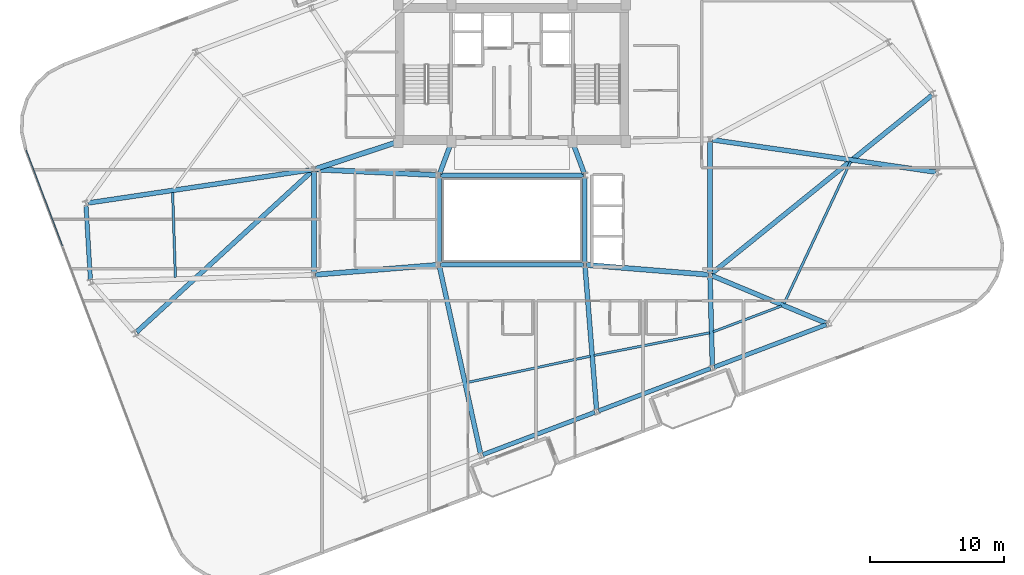
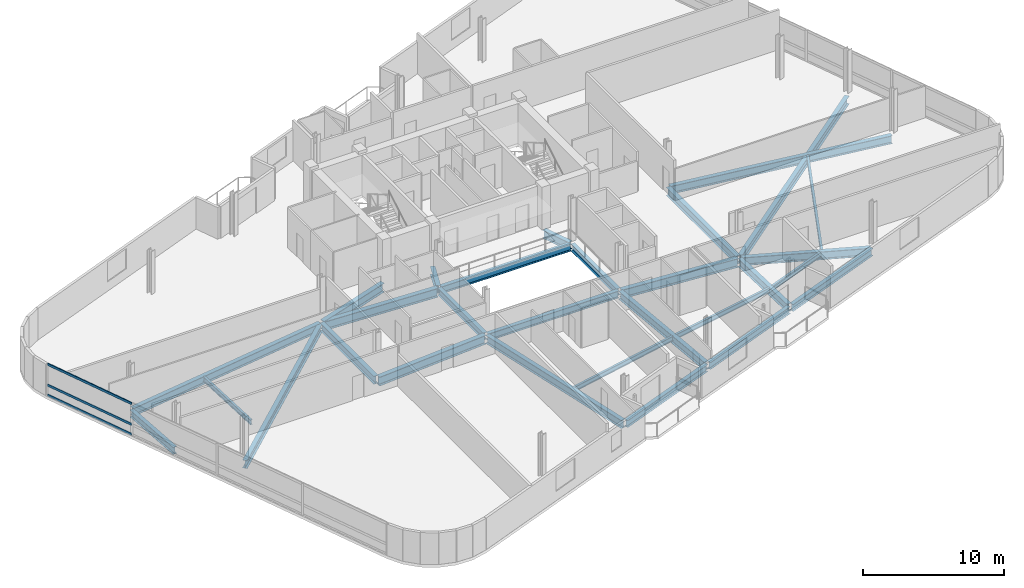
# One storey, part 7 of 20: 29 beams, 3 members, 1 element without a shape of its own.
"""IFC4 building model written with IfcOpenShell, lengths in metres."""

from ifc_helpers import new_model, si_unit, direction, frame, origin, origin_2d, place, context, subcontext, project, spatial, hollow_rectangle, i_section, extrude, material, layer, layer_set, material_profile, profile_set, type_object, element, aggregate, save


model = new_model("IFC4")

# Units and contexts
model_context = context("Model", 3, precision=1e-05, world=origin(), true_north=direction((0.0, 1.0)))
body_context = subcontext(model_context, "Body", "Model", "MODEL_VIEW")
ifc_project = project(units=[si_unit("LENGTHUNIT", "METRE"), si_unit("AREAUNIT", "SQUARE_METRE"), si_unit("VOLUMEUNIT", "CUBIC_METRE"), si_unit("PLANEANGLEUNIT", "RADIAN"), si_unit("MASSUNIT", "GRAM", prefix="KILO")], contexts=[model_context])

# Site, building, storey
site_placement = place(None, origin())
site = spatial("IfcSite", under=ifc_project, at=site_placement, CompositionType="ELEMENT")
building_placement = place(site_placement, origin())
building = spatial("IfcBuilding", under=site, at=building_placement, Name="Varnelok Gate Tower", CompositionType="ELEMENT")
storey_placement = place(building_placement, frame((0.0, 0.0, 238.60009765625)))
storey = spatial("IfcBuildingStorey", under=building, at=storey_placement, Name="L61", CompositionType="ELEMENT", Elevation=238.60009765625)

# Beams
ifc_material_1 = material(Name="Structural Steel ASTM A992 Grade 50", Category="steel")
ifc_material_profile_1 = material_profile(ifc_material_1, i_section(OverallWidth=0.180908203125, OverallDepth=0.4169921875, WebThickness=0.010986328125, FlangeThickness=0.018310546875, FilletRadius=0.013916015625, at=origin_2d()), Name="W16X57")
ifc_profile_set_1 = profile_set([ifc_material_profile_1], Name="Structural Steel ASTM A992 Grade 50")
beam_type_1 = type_object("IfcBeamType", Name="BM-JST-W16X57", PredefinedType="JOIST", material=ifc_profile_set_1)
beam_1_placement = place(storey_placement, frame((35.827392578125, 10.74609375, -0.45849609375), z_axis=(0.97793355235, 0.208916172636, 0.0), x_axis=(-0.208916172636, 0.97793355235, 0.0)))
element("IfcBeam", 1, at=beam_1_placement, inside=storey, type_object=beam_type_1, Name="L61 Sector Floor Joist 2", PredefinedType="JOIST", context=body_context, shape_type="SweptSolid", body=[
    extrude(i_section(OverallWidth=0.180908203125, OverallDepth=0.4169921875, WebThickness=0.010986328125, FlangeThickness=0.018310546875, FilletRadius=0.013916015625, at=origin_2d()), origin(), (0.0, 0.0, 1.0), 9.43994140625),
])
beam_2_placement = place(storey_placement, frame((45.33349609375, 12.7744140625, -0.45849609375), z_axis=(0.981373341714, 0.192110291692, 0.0), x_axis=(-0.192110291692, 0.981373341714, 0.0)))
element("IfcBeam", 2, at=beam_2_placement, inside=storey, type_object=beam_type_1, Name="L61 Sector Floor Joist 3", PredefinedType="JOIST", context=body_context, shape_type="SweptSolid", body=[
    extrude(i_section(OverallWidth=0.180908203125, OverallDepth=0.4169921875, WebThickness=0.010986328125, FlangeThickness=0.018310546875, FilletRadius=0.013916015625, at=origin_2d()), origin(), (0.0, 0.0, 1.0), 8.8056640625),
])
beam_3_placement = place(storey_placement, frame((54.243408203125, 14.54248046875, -0.45849609375), z_axis=(0.935206160185, 0.354103710729, 0.0), x_axis=(-0.354103710729, 0.935206160185, 0.0)))
element("IfcBeam", 3, at=beam_3_placement, inside=storey, type_object=beam_type_1, Name="L61 Sector Floor Joist 4", PredefinedType="JOIST", context=body_context, shape_type="SweptSolid", body=[
    extrude(i_section(OverallWidth=0.180908203125, OverallDepth=0.4169921875, WebThickness=0.010986328125, FlangeThickness=0.018310546875, FilletRadius=0.013916015625, at=origin_2d()), origin(), (0.0, 0.0, 1.0), 5.455078125),
])
beam_4_placement = place(storey_placement, frame((59.535400390625, 16.650390625, -0.45849609375), z_axis=(0.424724636523, 0.905322585121, 0.0), x_axis=(-0.905322585121, 0.424724636523, 0.0)))
element("IfcBeam", 4, at=beam_4_placement, inside=storey, type_object=beam_type_1, Name="L61 Sector Floor Joist 5", PredefinedType="JOIST", context=body_context, shape_type="SweptSolid", body=[
    extrude(i_section(OverallWidth=0.180908203125, OverallDepth=0.4169921875, WebThickness=0.010986328125, FlangeThickness=0.018310546875, FilletRadius=0.013916015625, at=origin_2d()), origin(), (0.0, 0.0, 1.0), 11.723388671875),
])
beam_5_placement = place(storey_placement, frame((13.830322265625, 24.969482421875, -0.45849609375), z_axis=(0.032693153675, -0.999465435972, 0.0), x_axis=(0.999465435972, 0.032693153675, 0.0)))
element("IfcBeam", 5, at=beam_5_placement, inside=storey, type_object=beam_type_1, Name="L61 Sector Floor Joist 12", PredefinedType="JOIST", context=body_context, shape_type="SweptSolid", body=[
    extrude(i_section(OverallWidth=0.180908203125, OverallDepth=0.4169921875, WebThickness=0.010986328125, FlangeThickness=0.018310546875, FilletRadius=0.013916015625, at=origin_2d()), origin(), (0.0, 0.0, 1.0), 6.35498046875),
])
ifc_material_profile_2 = material_profile(ifc_material_1, i_section(OverallWidth=0.35498046875, OverallDepth=0.696044921875, WebThickness=0.015380859375, FlangeThickness=0.02490234375, FilletRadius=0.02001953125, at=origin_2d()), Name="W27X146")
ifc_profile_set_2 = profile_set([ifc_material_profile_2], Name="Structural Steel ASTM A992 Grade 50")
beam_type_2 = type_object("IfcBeamType", Name="BM-PRI-W27X146", PredefinedType="BEAM", material=ifc_profile_set_2)
for number, where, z_axis, x_axis, name in (
    (6, (33.791748046875, 26.362548828125, -0.59814453125), (0.348719329408, 0.937227202602, 0.0), (-0.937227202602, 0.348719329408, 0.0), "L61 Core-Atrium Spine Beam 12"),
    (7, (44.608154296875, 26.362548828125, -0.59814453125), (-0.348719329408, 0.937227202602, 0.0), (-0.937227202602, -0.348719329408, 0.0), "L61 Core-Atrium Spine Beam 13"),
):
    element("IfcBeam", number, at=place(storey_placement, frame(where, z_axis=z_axis, x_axis=x_axis)), inside=storey, type_object=beam_type_2, Name=name, PredefinedType="BEAM", context=body_context, shape_type="SweptSolid", body=[
        extrude(i_section(OverallWidth=0.35498046875, OverallDepth=0.696044921875, WebThickness=0.015380859375, FlangeThickness=0.02490234375, FilletRadius=0.02001953125, at=origin_2d()), origin(), (0.0, 0.0, 1.0), 2.42724609375),
    ])
beam_6_placement = place(storey_placement, frame((24.39990234375, 18.919921875, -0.59814453125), z_axis=(0.0, 1.0, 0.0), x_axis=(-1.0, 0.0, 0.0)))
element("IfcBeam", 8, at=beam_6_placement, inside=storey, type_object=beam_type_2, Name="L61 Core-Atrium Spine Beam 16", PredefinedType="BEAM", context=body_context, shape_type="SweptSolid", body=[
    extrude(i_section(OverallWidth=0.35498046875, OverallDepth=0.696044921875, WebThickness=0.015380859375, FlangeThickness=0.02490234375, FilletRadius=0.02001953125, at=origin_2d()), origin(), (0.0, 0.0, 1.0), 7.64013671875),
])
beam_7_placement = place(storey_placement, frame((54.0, 18.919921875, -0.59814453125), z_axis=(0.0, 1.0, 0.0), x_axis=(-1.0, 0.0, 0.0)))
element("IfcBeam", 9, at=beam_7_placement, inside=storey, type_object=beam_type_2, Name="L61 Core-Atrium Spine Beam 20", PredefinedType="BEAM", context=body_context, shape_type="SweptSolid", body=[
    extrude(i_section(OverallWidth=0.35498046875, OverallDepth=0.696044921875, WebThickness=0.015380859375, FlangeThickness=0.02490234375, FilletRadius=0.02001953125, at=origin_2d()), origin(), (0.0, 0.0, 1.0), 9.880126953125),
])
beam_8_placement = place(storey_placement, frame((33.7822265625, 19.403564453125, -0.59814453125), z_axis=(0.214566745256, -0.976709328219, 0.0), x_axis=(0.976709328219, 0.214566745256, 0.0)))
element("IfcBeam", 10, at=beam_8_placement, inside=storey, type_object=beam_type_2, Name="L61 Radial Floor Girder 2", PredefinedType="BEAM", context=body_context, shape_type="SweptSolid", body=[
    extrude(i_section(OverallWidth=0.35498046875, OverallDepth=0.696044921875, WebThickness=0.015380859375, FlangeThickness=0.02490234375, FilletRadius=0.02001953125, at=origin_2d()), origin(), (0.0, 0.0, 1.0), 14.28662109375),
])
beam_9_placement = place(storey_placement, frame((44.662109375, 19.400390625, -0.59814453125), z_axis=(0.079989916961, -0.996795672736, 0.0), x_axis=(0.996795672736, 0.079989916961, 0.0)))
element("IfcBeam", 11, at=beam_9_placement, inside=storey, type_object=beam_type_2, Name="L61 Radial Floor Girder 3", PredefinedType="BEAM", context=body_context, shape_type="SweptSolid", body=[
    extrude(i_section(OverallWidth=0.35498046875, OverallDepth=0.696044921875, WebThickness=0.015380859375, FlangeThickness=0.02490234375, FilletRadius=0.02001953125, at=origin_2d()), origin(), (0.0, 0.0, 1.0), 10.70703125),
])
beam_10_placement = place(storey_placement, frame((54.00390625, 18.650146484375, -0.59814453125), z_axis=(0.026105842948, -0.999659184404, 0.0), x_axis=(0.999659184404, 0.026105842948, 0.0)))
element("IfcBeam", 12, at=beam_10_placement, inside=storey, type_object=beam_type_2, Name="L61 Radial Floor Girder 4", PredefinedType="BEAM", context=body_context, shape_type="SweptSolid", body=[
    extrude(i_section(OverallWidth=0.35498046875, OverallDepth=0.696044921875, WebThickness=0.015380859375, FlangeThickness=0.02490234375, FilletRadius=0.02001953125, at=origin_2d()), origin(), (0.0, 0.0, 1.0), 6.649169921875),
])
beam_11_placement = place(storey_placement, frame((54.138427734375, 18.742431640625, -0.59814453125), z_axis=(0.923393134815, -0.383855595995, 0.0), x_axis=(0.383855595995, 0.923393134815, 0.0)))
element("IfcBeam", 13, at=beam_11_placement, inside=storey, type_object=beam_type_2, Name="L61 Radial Floor Girder 5", PredefinedType="BEAM", context=body_context, shape_type="SweptSolid", body=[
    extrude(i_section(OverallWidth=0.35498046875, OverallDepth=0.696044921875, WebThickness=0.015380859375, FlangeThickness=0.02490234375, FilletRadius=0.02001953125, at=origin_2d()), origin(), (0.0, 0.0, 1.0), 9.264892578125),
])
beam_12_placement = place(storey_placement, frame((54.1484375, 28.8984375, -0.59814453125), z_axis=(0.989703475153, -0.143132914699, 0.0), x_axis=(0.143132914699, 0.989703475153, 0.0)))
element("IfcBeam", 14, at=beam_12_placement, inside=storey, type_object=beam_type_2, Name="L61 Radial Floor Girder 6", PredefinedType="BEAM", context=body_context, shape_type="SweptSolid", body=[
    extrude(i_section(OverallWidth=0.35498046875, OverallDepth=0.696044921875, WebThickness=0.015380859375, FlangeThickness=0.02490234375, FilletRadius=0.02001953125, at=origin_2d()), origin(), (0.0, 0.0, 1.0), 16.932373046875),
])
beam_13_placement = place(storey_placement, frame((54.11669921875, 18.894287109375, -0.59814453125), z_axis=(0.777332597566, 0.629089844745, 0.0), x_axis=(-0.629089844745, 0.777332597566, 0.0)))
element("IfcBeam", 15, at=beam_13_placement, inside=storey, type_object=beam_type_2, Name="L61 Radial Floor Girder 7", PredefinedType="BEAM", context=body_context, shape_type="SweptSolid", body=[
    extrude(i_section(OverallWidth=0.35498046875, OverallDepth=0.696044921875, WebThickness=0.015380859375, FlangeThickness=0.02490234375, FilletRadius=0.02001953125, at=origin_2d()), origin(), (0.0, 0.0, 1.0), 21.190673828125),
])
beam_14_placement = place(storey_placement, frame((24.251708984375, 26.657958984375, -0.59814453125), z_axis=(-0.989147373927, -0.146926759485, 0.0), x_axis=(0.146926759485, -0.989147373927, 0.0)))
element("IfcBeam", 16, at=beam_14_placement, inside=storey, type_object=beam_type_2, Name="L61 Radial Floor Girder 14", PredefinedType="BEAM", context=body_context, shape_type="SweptSolid", body=[
    extrude(i_section(OverallWidth=0.35498046875, OverallDepth=0.696044921875, WebThickness=0.015380859375, FlangeThickness=0.02490234375, FilletRadius=0.02001953125, at=origin_2d()), origin(), (0.0, 0.0, 1.0), 16.942138671875),
])
beam_15_placement = place(storey_placement, frame((24.289306640625, 26.57861328125, -0.59814453125), z_axis=(-0.737119491435, -0.675762425226, 0.0), x_axis=(0.675762425226, -0.737119491435, 0.0)))
element("IfcBeam", 17, at=beam_15_placement, inside=storey, type_object=beam_type_2, Name="L61 Radial Floor Girder 16", PredefinedType="BEAM", context=body_context, shape_type="SweptSolid", body=[
    extrude(i_section(OverallWidth=0.35498046875, OverallDepth=0.696044921875, WebThickness=0.015380859375, FlangeThickness=0.02490234375, FilletRadius=0.02001953125, at=origin_2d()), origin(), (0.0, 0.0, 1.0), 17.841796875),
])
ifc_material_profile_3 = material_profile(ifc_material_1, i_section(OverallWidth=0.381103515625, OverallDepth=0.77294921875, WebThickness=0.0166015625, FlangeThickness=0.027099609375, FilletRadius=0.02197265625, at=origin_2d()), Name="W30X173")
ifc_profile_set_3 = profile_set([ifc_material_profile_3], Name="Structural Steel ASTM A992 Grade 50")
beam_type_3 = type_object("IfcBeamType", Name="BM-PRI-W30X173", PredefinedType="BEAM", material=ifc_profile_set_3)
beam_16_placement = place(storey_placement, frame((24.51953125, 18.8095703125, -0.63671875), z_axis=(0.996799206292, 0.07994587128, 0.0), x_axis=(-0.07994587128, 0.996799206292, 0.0)))
element("IfcBeam", 18, at=beam_16_placement, inside=storey, type_object=beam_type_3, Name="L61 Core-Atrium Spine Beam 14", PredefinedType="BEAM", context=body_context, shape_type="SweptSolid", body=[
    extrude(i_section(OverallWidth=0.381103515625, OverallDepth=0.77294921875, WebThickness=0.0166015625, FlangeThickness=0.027099609375, FilletRadius=0.02197265625, at=origin_2d()), origin(), (0.0, 0.0, 1.0), 9.14013671875),
])
beam_17_placement = place(storey_placement, frame((24.52001953125, 26.674560546875, -0.63671875), z_axis=(0.99894427814, -0.045938319209, 0.0), x_axis=(0.045938319209, 0.99894427814, 0.0)))
element("IfcBeam", 19, at=beam_17_placement, inside=storey, type_object=beam_type_3, Name="L61 Core-Atrium Spine Beam 15", PredefinedType="BEAM", context=body_context, shape_type="SweptSolid", body=[
    extrude(i_section(OverallWidth=0.381103515625, OverallDepth=0.77294921875, WebThickness=0.0166015625, FlangeThickness=0.027099609375, FilletRadius=0.02197265625, at=origin_2d()), origin(), (0.0, 0.0, 1.0), 9.11962890625),
])
beam_18_placement = place(storey_placement, frame((24.513916015625, 26.717529296875, -0.63671875), z_axis=(0.950041943788, 0.312122259768, 0.0), x_axis=(-0.312122259768, 0.950041943788, 0.0)))
element("IfcBeam", 20, at=beam_18_placement, inside=storey, type_object=beam_type_3, Name="L61 Core-Atrium Spine Beam 17", PredefinedType="BEAM", context=body_context, shape_type="SweptSolid", body=[
    extrude(i_section(OverallWidth=0.381103515625, OverallDepth=0.77294921875, WebThickness=0.0166015625, FlangeThickness=0.027099609375, FilletRadius=0.02197265625, at=origin_2d()), origin(), (0.0, 0.0, 1.0), 6.391357421875),
])
beam_19_placement = place(storey_placement, frame((44.76953125, 19.540283203125, -0.63671875), z_axis=(0.996799206292, -0.07994587128, 0.0), x_axis=(0.07994587128, 0.996799206292, 0.0)))
element("IfcBeam", 21, at=beam_19_placement, inside=storey, type_object=beam_type_3, Name="L61 Core-Atrium Spine Beam 18", PredefinedType="BEAM", context=body_context, shape_type="SweptSolid", body=[
    extrude(i_section(OverallWidth=0.381103515625, OverallDepth=0.77294921875, WebThickness=0.0166015625, FlangeThickness=0.027099609375, FilletRadius=0.02197265625, at=origin_2d()), origin(), (0.0, 0.0, 1.0), 9.14013671875),
])
ifc_material_profile_4 = material_profile(ifc_material_1, i_section(OverallWidth=0.323974609375, OverallDepth=0.611083984375, WebThickness=0.0126953125, FlangeThickness=0.01904296875, FilletRadius=0.01806640625, at=origin_2d()), Name="W24X104")
ifc_profile_set_4 = profile_set([ifc_material_profile_4], Name="Structural Steel ASTM A992 Grade 50")
beam_type_4 = type_object("IfcBeamType", Name="BM-SPN-W24X104", PredefinedType="SPANDREL", material=ifc_profile_set_4)
for number, where, z_axis, x_axis, name in (
    (22, (33.8701171875, 19.550048828125, -0.5556640625), (1.0, 0.0, 0.0), (0.0, 1.0, 0.0), "L61 Core-Atrium Spine Beam 8"),
    (23, (33.8701171875, 26.25, -0.5556640625), (1.0, 0.0, 0.0), (0.0, 1.0, 0.0), "L61 Core-Atrium Spine Beam 9"),
):
    element("IfcBeam", number, at=place(storey_placement, frame(where, z_axis=z_axis, x_axis=x_axis)), inside=storey, type_object=beam_type_4, Name=name, PredefinedType="SPANDREL", context=body_context, shape_type="SweptSolid", body=[
        extrude(i_section(OverallWidth=0.323974609375, OverallDepth=0.611083984375, WebThickness=0.0126953125, FlangeThickness=0.01904296875, FilletRadius=0.01806640625, at=origin_2d()), origin(), (0.0, 0.0, 1.0), 10.659912109375),
    ])
for number, where, z_axis, x_axis, name in (
    (24, (33.75, 19.669921875, -0.5556640625), (0.0, 1.0, 0.0), (-1.0, 0.0, 0.0), "L61 Core-Atrium Spine Beam 10"),
    (25, (44.64990234375, 19.669921875, -0.5556640625), (0.0, 1.0, 0.0), (-1.0, 0.0, 0.0), "L61 Core-Atrium Spine Beam 11"),
):
    element("IfcBeam", number, at=place(storey_placement, frame(where, z_axis=z_axis, x_axis=x_axis)), inside=storey, type_object=beam_type_4, Name=name, PredefinedType="SPANDREL", context=body_context, shape_type="SweptSolid", body=[
        extrude(i_section(OverallWidth=0.323974609375, OverallDepth=0.611083984375, WebThickness=0.0126953125, FlangeThickness=0.01904296875, FilletRadius=0.01806640625, at=origin_2d()), origin(), (0.0, 0.0, 1.0), 6.4599609375),
    ])
beam_20_placement = place(storey_placement, frame((37.02001953125, 5.356201171875, -0.5556640625), z_axis=(0.935220356141, 0.354066216208, 0.0), x_axis=(-0.354066216208, 0.935220356141, 0.0)))
element("IfcBeam", 26, at=beam_20_placement, inside=storey, type_object=beam_type_4, Name="L61 Perimeter Spandrel Beam 2", PredefinedType="SPANDREL", context=body_context, shape_type="SweptSolid", body=[
    extrude(i_section(OverallWidth=0.323974609375, OverallDepth=0.611083984375, WebThickness=0.0126953125, FlangeThickness=0.01904296875, FilletRadius=0.01806640625, at=origin_2d()), origin(), (0.0, 0.0, 1.0), 8.9501953125),
])
for number, where, z_axis, x_axis, name in (
    (27, (45.6708984375, 8.63134765625, -0.5556640625), (0.935216936382, 0.354075248928, 0.0), (-0.354075248928, 0.935216936382, 0.0), "L61 Perimeter Spandrel Beam 3"),
    (28, (54.32177734375, 11.906494140625, -0.5556640625), (0.935225969099, 0.354051389947, 0.0), (-0.354051389947, 0.935225969099, 0.0), "L61 Perimeter Spandrel Beam 4"),
):
    element("IfcBeam", number, at=place(storey_placement, frame(where, z_axis=z_axis, x_axis=x_axis)), inside=storey, type_object=beam_type_4, Name=name, PredefinedType="SPANDREL", context=body_context, shape_type="SweptSolid", body=[
        extrude(i_section(OverallWidth=0.323974609375, OverallDepth=0.611083984375, WebThickness=0.0126953125, FlangeThickness=0.01904296875, FilletRadius=0.01806640625, at=origin_2d()), origin(), (0.0, 0.0, 1.0), 8.949951171875),
    ])
beam_21_placement = place(storey_placement, frame((7.353759765625, 23.996826171875, -0.5556640625), z_axis=(0.059497061762, -0.99822848068, 0.0), x_axis=(0.99822848068, 0.059497061762, 0.0)))
element("IfcBeam", 29, at=beam_21_placement, inside=storey, type_object=beam_type_4, Name="L61 Perimeter Spandrel Beam 14", PredefinedType="SPANDREL", context=body_context, shape_type="SweptSolid", body=[
    extrude(i_section(OverallWidth=0.323974609375, OverallDepth=0.611083984375, WebThickness=0.0126953125, FlangeThickness=0.01904296875, FilletRadius=0.01806640625, at=origin_2d()), origin(), (0.0, 0.0, 1.0), 5.576416015625),
])

# Curtain wall, members
ifc_material_2 = material(Name="Anodized Aluminum Alloy 6063-T6", Category="aluminium")
ifc_layer = layer(ifc_material_2, 0.179931640625)
ifc_layer_set = layer_set([ifc_layer], Name="Anodized Aluminum Alloy 6063-T6")
curtain_wall_type = type_object("IfcCurtainWallType", Name="CW4-RESIDENCE-VISION", PredefinedType="USERDEFINED", material=ifc_layer_set)
curtain_wall_placement = place(storey_placement, origin())
curtain_wall = element("IfcCurtainWall", 30, at=curtain_wall_placement, inside=storey, type_object=curtain_wall_type, Name="L61 West End Vision Curtain Wall", ObjectType="UNITISED CURTAIN WALL", PredefinedType="USERDEFINED")
ifc_material_profile_5 = material_profile(ifc_material_2, hollow_rectangle(XDim=0.074951171875, YDim=0.199951171875, WallThickness=0.00390625, at=origin_2d()), Name="ALU200X75X4")
ifc_profile_set_5 = profile_set([ifc_material_profile_5], Name="Anodized Aluminum Alloy 6063-T6")
member_type = type_object("IfcMemberType", Name="CW-TRAN-200", PredefinedType="USERDEFINED", material=ifc_profile_set_5)
member_1_placement = place(storey_placement, frame((5.60009765625, 20.9599609375, 0.037353515625), z_axis=(-0.354073041953, 0.935217771945, 0.0), x_axis=(-0.935217771945, -0.354073041953, 0.0)))
member_1 = element("IfcMember", 31, at=member_1_placement, type_object=member_type, Name="CW4 transom 4.1", ObjectType="TRANSOM", PredefinedType="USERDEFINED", context=body_context, shape_type="SweptSolid", body=[
    extrude(hollow_rectangle(XDim=0.074951171875, YDim=0.199951171875, WallThickness=0.00390625, at=origin_2d()), origin(), (0.0, 0.0, 1.0), 7.6875),
])
member_2_placement = place(storey_placement, frame((5.60009765625, 20.9599609375, 0.89990234375), z_axis=(-0.354073041953, 0.935217771945, 0.0), x_axis=(-0.935217771945, -0.354073041953, 0.0)))
member_2 = element("IfcMember", 32, at=member_2_placement, type_object=member_type, Name="CW4 transom 4.2", ObjectType="TRANSOM", PredefinedType="USERDEFINED", context=body_context, shape_type="SweptSolid", body=[
    extrude(hollow_rectangle(XDim=0.074951171875, YDim=0.199951171875, WallThickness=0.00390625, at=origin_2d()), origin(), (0.0, 0.0, 1.0), 7.6875),
])
member_3_placement = place(storey_placement, frame((5.60009765625, 20.9599609375, 2.6923828125), z_axis=(-0.354073041953, 0.935217771945, 0.0), x_axis=(-0.935217771945, -0.354073041953, 0.0)))
member_3 = element("IfcMember", 33, at=member_3_placement, type_object=member_type, Name="CW4 transom 4.3", ObjectType="TRANSOM", PredefinedType="USERDEFINED", context=body_context, shape_type="SweptSolid", body=[
    extrude(hollow_rectangle(XDim=0.074951171875, YDim=0.199951171875, WallThickness=0.00390625, at=origin_2d()), origin(), (0.0, 0.0, 1.0), 7.6875),
])
aggregate(curtain_wall, [member_1, member_2, member_3])

save(model, "model.ifc")
